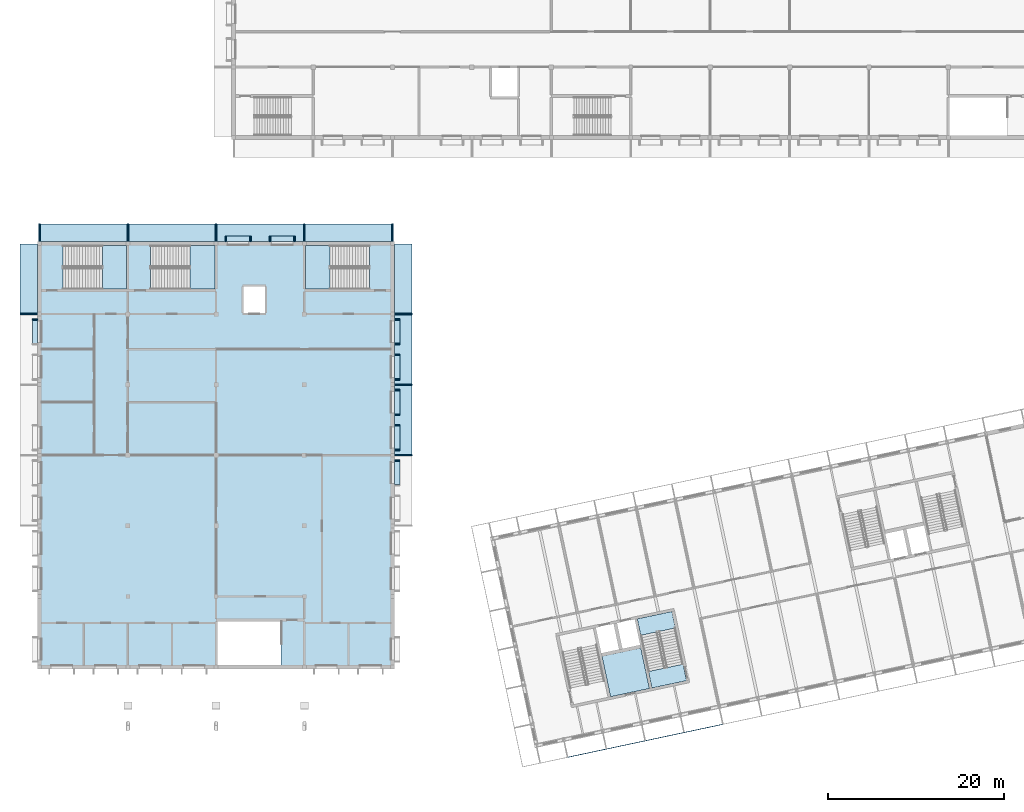
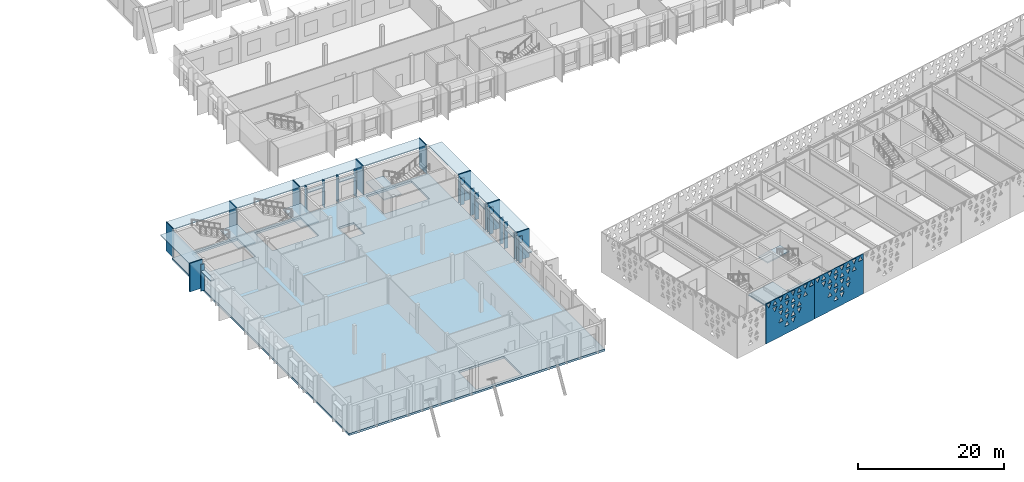
# One storey, part 96 of 182: 41 plates, 7 slabs, 4 elements without a shape of their own.
"""IFC4 building model written with IfcOpenShell, lengths in metres."""

from ifc_helpers import new_model, si_unit, direction, frame, origin, origin_2d, place, context, subcontext, project, spatial, polyline, rectangle, outline, extrude, material, layer, layer_set, type_object, element, aggregate, save


model = new_model("IFC4")

# Units and contexts
model_context = context("Model", 3, precision=1e-05, world=origin(), true_north=direction((0.0, 1.0)))
body_context = subcontext(model_context, "Body", "Model", "MODEL_VIEW")
ifc_project = project(units=[si_unit("LENGTHUNIT", "METRE"), si_unit("AREAUNIT", "SQUARE_METRE"), si_unit("VOLUMEUNIT", "CUBIC_METRE"), si_unit("PLANEANGLEUNIT", "RADIAN"), si_unit("MASSUNIT", "GRAM", prefix="KILO")], contexts=[model_context])

# Site, building, storey
site_placement = place(None, origin())
site = spatial("IfcSite", under=ifc_project, at=site_placement, CompositionType="ELEMENT")
building_placement = place(site_placement, origin())
building = spatial("IfcBuilding", under=site, at=building_placement, Name="Okhra Congress Centre", CompositionType="ELEMENT")
storey_placement = place(building_placement, frame((0.0, 0.0, 7.199951171875)))
storey = spatial("IfcBuildingStorey", under=building, at=storey_placement, Name="L01", CompositionType="ELEMENT", Elevation=7.199951171875)

# Plates
ifc_material_1 = material(Name="Anodised aluminium extrusion", Category="aluminium")
plate_type_1 = type_object("IfcPlateType", Name="Aluminium fin 150x600", PredefinedType="SHEET", material=ifc_material_1)
for number, where, z_axis, x_axis, name in (
    (1, (27.10009765625, 84.52490234375, 0.0), (0.0, 0.0, 1.0), (-1.0, 0.0, 0.0), "RS.PLT.L01.13"),
    (2, (29.89990234375, 84.52490234375, 0.0), (0.0, 0.0, 1.0), (-1.0, 0.0, 0.0), "RS.PLT.L01.14"),
    (3, (32.10009765625, 84.52490234375, 0.0), (0.0, 0.0, 1.0), (-1.0, 0.0, 0.0), "RS.PLT.L01.15"),
    (4, (34.89990234375, 84.52490234375, 0.0), (0.0, 0.0, 1.0), (-1.0, 0.0, 0.0), "RS.PLT.L01.16"),
    (5, (5.47509765625, 75.39990234375, 0.0), (0.0, 0.0, 1.0), (0.0, -1.0, 0.0), "RS.PLT.L01.32"),
    (6, (46.52490234375, 59.39990234375, 0.0), (0.0, 0.0, 1.0), (0.0, 1.0, 0.0), "RS.PLT.L01.42"),
    (7, (46.52490234375, 60.60009765625, 0.0), (0.0, 0.0, 1.0), (0.0, 1.0, 0.0), "RS.PLT.L01.43"),
    (8, (46.52490234375, 63.39990234375, 0.0), (0.0, 0.0, 1.0), (0.0, 1.0, 0.0), "RS.PLT.L01.44"),
    (9, (46.52490234375, 64.60009765625, 0.0), (0.0, 0.0, 1.0), (0.0, 1.0, 0.0), "RS.PLT.L01.45"),
    (10, (46.52490234375, 67.39990234375, 0.0), (0.0, 0.0, 1.0), (0.0, 1.0, 0.0), "RS.PLT.L01.46"),
    (11, (46.52490234375, 68.60009765625, 0.0), (0.0, 0.0, 1.0), (0.0, 1.0, 0.0), "RS.PLT.L01.47"),
    (12, (46.52490234375, 71.39990234375, 0.0), (0.0, 0.0, 1.0), (0.0, 1.0, 0.0), "RS.PLT.L01.48"),
    (13, (46.52490234375, 72.60009765625, 0.0), (0.0, 0.0, 1.0), (0.0, 1.0, 0.0), "RS.PLT.L01.49"),
    (14, (46.52490234375, 75.39990234375, 0.0), (0.0, 0.0, 1.0), (0.0, 1.0, 0.0), "RS.PLT.L01.50"),
):
    element("IfcPlate", number, at=place(storey_placement, frame(where, z_axis=z_axis, x_axis=x_axis)), inside=storey, type_object=plate_type_1, Name=name, PredefinedType="SHEET", context=body_context, shape_type="SweptSolid", body=[
        extrude(rectangle(XDim=0.14990234375, YDim=0.60009765625, at=origin_2d()), origin(), (0.0, 0.0, 1.0), 4.429931640625),
    ])
ifc_material_2 = material(Name="Precast concrete C40/50", Category="concrete")
plate_type_2 = type_object("IfcPlateType", Name="Precast concrete blade 150x2000 C40/50", PredefinedType="SHEET", material=ifc_material_2)
for number, where, z_axis, x_axis, name in (
    (15, (6.0, 85.22509765625, 0.0), (0.0, 0.0, 1.0), (-1.0, 0.0, 0.0), "RS.PLT.L01.blade-1"),
    (16, (16.0, 85.22509765625, 0.0), (0.0, 0.0, 1.0), (-1.0, 0.0, 0.0), "RS.PLT.L01.blade-2"),
    (17, (26.0, 85.22509765625, 0.0), (0.0, 0.0, 1.0), (-1.0, 0.0, 0.0), "RS.PLT.L01.blade-3"),
    (18, (36.0, 85.22509765625, 0.0), (0.0, 0.0, 1.0), (-1.0, 0.0, 0.0), "RS.PLT.L01.blade-4"),
    (19, (46.0, 85.22509765625, 0.0), (0.0, 0.0, 1.0), (-1.0, 0.0, 0.0), "RS.PLT.L01.blade-5"),
    (20, (4.77490234375, 76.0, 0.0), (0.0, 0.0, 1.0), (0.0, -1.0, 0.0), "RS.PLT.L01.blade-9"),
    (21, (47.22509765625, 60.0, 0.0), (0.0, 0.0, 1.0), (0.0, 1.0, 0.0), "RS.PLT.L01.blade-11"),
    (22, (47.22509765625, 68.0, 0.0), (0.0, 0.0, 1.0), (0.0, 1.0, 0.0), "RS.PLT.L01.blade-12"),
    (23, (47.22509765625, 76.0, 0.0), (0.0, 0.0, 1.0), (0.0, 1.0, 0.0), "RS.PLT.L01.blade-13"),
):
    element("IfcPlate", number, at=place(storey_placement, frame(where, z_axis=z_axis, x_axis=x_axis)), inside=storey, type_object=plate_type_2, Name=name, PredefinedType="SHEET", context=body_context, shape_type="SweptSolid", body=[
        extrude(rectangle(XDim=0.14990234375, YDim=2.0, at=origin_2d()), origin(), (0.0, 0.0, 1.0), 4.800048828125),
    ])
ifc_layer_1 = layer(ifc_material_2, 0.14990234375)
ifc_layer_set_1 = layer_set([ifc_layer_1], Name="Precast concrete shelf 150x2000 C40/50")
plate_type_3 = type_object("IfcPlateType", Name="Precast concrete shelf 150x2000 C40/50", PredefinedType="SHEET", material=ifc_layer_set_1)
for number, where, z_axis, x_axis, name in (
    (24, (11.0, 85.22509765625, 4.60009765625), (0.0, 0.0, 1.0), (-1.0, 0.0, 0.0), "RS.PLT.L01.shelf-1"),
    (25, (21.0, 85.22509765625, 4.60009765625), (0.0, 0.0, 1.0), (-1.0, 0.0, 0.0), "RS.PLT.L01.shelf-2"),
    (26, (31.0, 85.22509765625, 4.60009765625), (0.0, 0.0, 1.0), (-1.0, 0.0, 0.0), "RS.PLT.L01.shelf-3"),
    (27, (41.0, 85.22509765625, 4.60009765625), (0.0, 0.0, 1.0), (-1.0, 0.0, 0.0), "RS.PLT.L01.shelf-4"),
):
    element("IfcPlate", number, at=place(storey_placement, frame(where, z_axis=z_axis, x_axis=x_axis)), inside=storey, type_object=plate_type_3, Name=name, PredefinedType="SHEET", context=body_context, shape_type="SweptSolid", body=[
        extrude(rectangle(XDim=9.840087890625, YDim=2.0, at=origin_2d()), origin(), (0.0, 0.0, 1.0), 0.14990234375),
    ])
for number, where, z_axis, x_axis, name in (
    (28, (4.77490234375, 80.0, 4.60009765625), (0.0, 0.0, 1.0), (0.0, -1.0, 0.0), "RS.PLT.L01.shelf-8"),
    (29, (47.22509765625, 64.0, 4.60009765625), (0.0, 0.0, 1.0), (0.0, 1.0, 0.0), "RS.PLT.L01.shelf-10"),
    (30, (47.22509765625, 72.0, 4.60009765625), (0.0, 0.0, 1.0), (0.0, 1.0, 0.0), "RS.PLT.L01.shelf-11"),
    (31, (47.22509765625, 80.0, 4.60009765625), (0.0, 0.0, 1.0), (0.0, 1.0, 0.0), "RS.PLT.L01.shelf-12"),
):
    element("IfcPlate", number, at=place(storey_placement, frame(where, z_axis=z_axis, x_axis=x_axis)), inside=storey, type_object=plate_type_3, Name=name, PredefinedType="SHEET", context=body_context, shape_type="SweptSolid", body=[
        extrude(rectangle(XDim=7.840087890625, YDim=2.0, at=origin_2d()), origin(), (0.0, 0.0, 1.0), 0.14990234375),
    ])

# Slabs
ifc_material_3 = material(Name="Concrete C30/37", Category="concrete")
ifc_layer_2 = layer(ifc_material_3, 0.199951171875)
ifc_layer_set_2 = layer_set([ifc_layer_2], Name="RC floor slab 200 REI 120 C30/37")
slab_type_1 = type_object("IfcSlabType", Name="RC floor slab 200 REI 120 C30/37", PredefinedType="FLOOR", material=ifc_layer_set_2)
slab_1_placement = place(storey_placement, frame((0.0, 0.0, -0.199951171875)))
element("IfcSlab", 32, at=slab_1_placement, inside=storey, type_object=slab_type_1, Name="Stair floor landing 1B L01", PredefinedType="FLOOR", context=body_context, shape_type="SweptSolid", body=[
    extrude(outline(polyline([(79.32666015625, 34.454345703125), (75.404296875, 33.62060546875), (75.00732421875, 35.489013671875), (78.9296875, 36.322509765625), (79.32666015625, 34.454345703125)])), origin(), (0.0, 0.0, 1.0), 0.199951171875),
])
slab_2_placement = place(storey_placement, frame((0.0, 0.0, -0.199951171875)))
element("IfcSlab", 33, at=slab_2_placement, inside=storey, type_object=slab_type_1, Name="Riser room floor 1 L01", PredefinedType="FLOOR", context=body_context, shape_type="SweptSolid", body=[
    extrude(outline(polyline([(70.713134765625, 32.628662109375), (75.11474609375, 33.564208984375), (74.1376953125, 38.161376953125), (69.73583984375, 37.225830078125), (70.713134765625, 32.628662109375)])), origin(), (0.0, 0.0, 1.0), 0.199951171875),
])
ifc_material_4 = material(Name="Concrete C35/45", Category="concrete")
ifc_layer_3 = layer(ifc_material_4, 0.35009765625)
ifc_layer_set_3 = layer_set([ifc_layer_3], Name="RC floor slab 350 REI 120 C35/45")
slab_type_2 = type_object("IfcSlabType", Name="RC floor slab 350 REI 120 C35/45", PredefinedType="FLOOR", material=ifc_layer_set_3)
slab_3_placement = place(storey_placement, frame((0.0, 0.0, -0.349853515625)))
element("IfcSlab", 34, at=slab_3_placement, inside=storey, type_object=slab_type_2, Name="Floor slab L01", PredefinedType="FLOOR", context=body_context, shape_type="SweptSolid", body=[
    extrude(outline(polyline([(46.22509765625, 35.77490234375), (46.22509765625, 84.22509765625), (5.77490234375, 84.22509765625), (5.77490234375, 35.77490234375), (46.22509765625, 35.77490234375)]), holes=[polyline([(8.6279296875, 78.824951171875), (15.85009765625, 78.824951171875), (15.85009765625, 83.77490234375), (8.6279296875, 83.77490234375), (8.6279296875, 78.824951171875)]), polyline([(18.552978515625, 78.824951171875), (25.85009765625, 78.824951171875), (25.85009765625, 83.77490234375), (18.552978515625, 83.77490234375), (18.552978515625, 78.824951171875)]), polyline([(43.3720703125, 83.77490234375), (36.14990234375, 83.77490234375), (36.14990234375, 78.824951171875), (43.3720703125, 78.824951171875), (43.3720703125, 83.77490234375)]), polyline([(33.3720703125, 41.175048828125), (26.14990234375, 41.175048828125), (26.14990234375, 36.22509765625), (33.3720703125, 36.22509765625), (33.3720703125, 41.175048828125)]), polyline([(29.125, 76.125), (31.52490234375, 76.125), (31.52490234375, 79.125), (29.125, 79.125), (29.125, 76.125)])]), origin(), (0.0, 0.0, 1.0), 0.349853515625),
])

# Stair, slab
stair_type_1 = type_object("IfcStairType", Name="Escape stair 2400 wide, 30 risers of 160.0", PredefinedType="HALF_TURN_STAIR", material=ifc_material_3)
stair_1_placement = place(storey_placement, origin())
stair_1 = element("IfcStair", 35, at=stair_1_placement, inside=storey, type_object=stair_type_1, Name="L01 Stair R1", PredefinedType="HALF_TURN_STAIR")
ifc_layer_4 = layer(ifc_material_3, 0.199951171875)
ifc_layer_set_4 = layer_set([ifc_layer_4], Name="RC stair landing 200 C30/37")
slab_type_3 = type_object("IfcSlabType", Name="RC stair landing 200 C30/37", PredefinedType="LANDING", material=ifc_layer_set_4)
slab_4_placement = place(storey_placement, frame((0.0, 0.0, 2.199951171875)))
slab_4 = element("IfcSlab", 36, at=slab_4_placement, type_object=slab_type_3, Name="R1 landing 1", PredefinedType="LANDING", context=body_context, shape_type="SweptSolid", body=[
    extrude(outline(polyline([(13.10498046875, 78.824951171875), (15.85009765625, 78.824951171875), (15.85009765625, 83.77490234375), (13.10498046875, 83.77490234375), (13.10498046875, 78.824951171875)])), origin(), (0.0, 0.0, 1.0), 0.2001953125),
])
aggregate(stair_1, [slab_4])

stair_2_placement = place(storey_placement, origin())
stair_2 = element("IfcStair", 37, at=stair_2_placement, inside=storey, type_object=stair_type_1, Name="L01 Stair R3", PredefinedType="HALF_TURN_STAIR")
slab_5_placement = place(storey_placement, frame((0.0, 0.0, 2.199951171875)))
slab_5 = element("IfcSlab", 38, at=slab_5_placement, type_object=slab_type_3, Name="R3 landing 1", PredefinedType="LANDING", context=body_context, shape_type="SweptSolid", body=[
    extrude(outline(polyline([(23.030029296875, 78.824951171875), (25.85009765625, 78.824951171875), (25.85009765625, 83.77490234375), (23.030029296875, 83.77490234375), (23.030029296875, 78.824951171875)])), origin(), (0.0, 0.0, 1.0), 0.2001953125),
])
aggregate(stair_2, [slab_5])

stair_3_placement = place(storey_placement, origin())
stair_3 = element("IfcStair", 39, at=stair_3_placement, inside=storey, type_object=stair_type_1, Name="L01 Stair R2", PredefinedType="HALF_TURN_STAIR")
slab_6_placement = place(storey_placement, frame((0.0, 0.0, 2.199951171875)))
slab_6 = element("IfcSlab", 40, at=slab_6_placement, type_object=slab_type_3, Name="R2 landing 1", PredefinedType="LANDING", context=body_context, shape_type="SweptSolid", body=[
    extrude(outline(polyline([(38.89501953125, 83.77490234375), (36.14990234375, 83.77490234375), (36.14990234375, 78.824951171875), (38.89501953125, 78.824951171875), (38.89501953125, 83.77490234375)])), origin(), (0.0, 0.0, 1.0), 0.2001953125),
])
aggregate(stair_3, [slab_6])

stair_type_2 = type_object("IfcStairType", Name="Escape stair 1900 wide, 30 risers of 160.0", PredefinedType="HALF_TURN_STAIR", material=ifc_material_3)
stair_4_placement = place(storey_placement, origin())
stair_4 = element("IfcStair", 41, at=stair_4_placement, inside=storey, type_object=stair_type_2, Name="L01 Escape stair 1B", PredefinedType="HALF_TURN_STAIR")
slab_7_placement = place(storey_placement, frame((0.0, 0.0, 2.199951171875)))
slab_7 = element("IfcSlab", 42, at=slab_7_placement, type_object=slab_type_3, Name="BS1B landing 1", PredefinedType="LANDING", context=body_context, shape_type="SweptSolid", body=[
    extrude(outline(polyline([(78.058349609375, 40.421142578125), (74.135986328125, 39.58740234375), (73.739013671875, 41.45556640625), (77.661376953125, 42.289306640625), (78.058349609375, 40.421142578125)])), origin(), (0.0, 0.0, 1.0), 0.2001953125),
])
aggregate(stair_4, [slab_7])

# Plates
ifc_material_5 = material(Name="Fired clay terracotta rainscreen panel, deep oxide-red glaze, non-combustible", Category="masonry")
ifc_layer_5 = layer(ifc_material_5, 0.080078125)
ifc_layer_set_5 = layer_set([ifc_layer_5], Name="Terracotta screen panel 8980x6720")
plate_type_4 = type_object("IfcPlateType", Name="Terracotta screen panel 8980x6720", PredefinedType="SHEET", material=ifc_layer_set_5)
plate_1_placement = place(storey_placement, frame((65.843505859375, 25.76611328125, 0.010009765625), z_axis=(0.0, 0.0, 1.0), x_axis=(0.978144061878, 0.207928339131, 0.0)))
element("IfcPlate", 43, at=plate_1_placement, inside=storey, type_object=plate_type_4, Name="Screen panel S2 Tier 1", PredefinedType="SHEET", context=body_context, shape_type="SweptSolid", body=[
    extrude(outline(polyline([(0.0, 0.0), (8.97998046875, 0.0), (8.97998046875, 6.719970703125), (0.0, 6.719970703125), (0.0, 0.0)]), holes=[polyline([(3.536376953125, 1.303955078125), (4.3037109375, 1.303955078125), (3.919921875, 2.05615234375), (3.536376953125, 1.303955078125)]), polyline([(4.656494140625, 2.05615234375), (5.0400390625, 1.303955078125), (5.423583984375, 2.05615234375), (4.656494140625, 2.05615234375)]), polyline([(2.41650390625, 2.423828125), (3.18359375, 2.423828125), (2.800048828125, 3.176025390625), (2.41650390625, 2.423828125)]), polyline([(3.536376953125, 3.176025390625), (3.919921875, 2.423828125), (4.3037109375, 3.176025390625), (3.536376953125, 3.176025390625)]), polyline([(4.656494140625, 2.423828125), (5.423583984375, 2.423828125), (5.0400390625, 3.176025390625), (4.656494140625, 2.423828125)]), polyline([(5.7763671875, 3.176025390625), (6.159912109375, 2.423828125), (6.543701171875, 3.176025390625), (5.7763671875, 3.176025390625)]), polyline([(2.41650390625, 4.296142578125), (2.800048828125, 3.5439453125), (3.18359375, 4.296142578125), (2.41650390625, 4.296142578125)]), polyline([(3.536376953125, 3.5439453125), (4.3037109375, 3.5439453125), (3.919921875, 4.296142578125), (3.536376953125, 3.5439453125)]), polyline([(4.656494140625, 4.296142578125), (5.0400390625, 3.5439453125), (5.423583984375, 4.296142578125), (4.656494140625, 4.296142578125)]), polyline([(5.7763671875, 3.5439453125), (6.543701171875, 3.5439453125), (6.159912109375, 4.296142578125), (5.7763671875, 3.5439453125)]), polyline([(1.29638671875, 5.416015625), (1.679931640625, 4.663818359375), (2.0634765625, 5.416015625), (1.29638671875, 5.416015625)]), polyline([(2.41650390625, 4.663818359375), (3.18359375, 4.663818359375), (2.800048828125, 5.416015625), (2.41650390625, 4.663818359375)]), polyline([(3.536376953125, 5.416015625), (3.919921875, 4.663818359375), (4.3037109375, 5.416015625), (3.536376953125, 5.416015625)]), polyline([(4.656494140625, 4.663818359375), (5.423583984375, 4.663818359375), (5.0400390625, 5.416015625), (4.656494140625, 4.663818359375)]), polyline([(5.7763671875, 5.416015625), (6.159912109375, 4.663818359375), (6.543701171875, 5.416015625), (5.7763671875, 5.416015625)]), polyline([(6.896484375, 4.663818359375), (7.66357421875, 4.663818359375), (7.280029296875, 5.416015625), (6.896484375, 4.663818359375)]), polyline([(0.176513671875, 6.5361328125), (0.56005859375, 5.783935546875), (0.943603515625, 6.5361328125), (0.176513671875, 6.5361328125)]), polyline([(1.29638671875, 5.783935546875), (2.0634765625, 5.783935546875), (1.679931640625, 6.5361328125), (1.29638671875, 5.783935546875)]), polyline([(2.41650390625, 6.5361328125), (2.800048828125, 5.783935546875), (3.18359375, 6.5361328125), (2.41650390625, 6.5361328125)]), polyline([(3.536376953125, 5.783935546875), (4.3037109375, 5.783935546875), (3.919921875, 6.5361328125), (3.536376953125, 5.783935546875)]), polyline([(4.656494140625, 6.5361328125), (5.0400390625, 5.783935546875), (5.423583984375, 6.5361328125), (4.656494140625, 6.5361328125)]), polyline([(5.7763671875, 5.783935546875), (6.543701171875, 5.783935546875), (6.159912109375, 6.5361328125), (5.7763671875, 5.783935546875)]), polyline([(6.896484375, 6.5361328125), (7.280029296875, 5.783935546875), (7.66357421875, 6.5361328125), (6.896484375, 6.5361328125)]), polyline([(8.016357421875, 5.783935546875), (8.78369140625, 5.783935546875), (8.39990234375, 6.5361328125), (8.016357421875, 5.783935546875)])]), frame((0.0, 0.0400390625, 0.0), z_axis=(0.0, -1.0, 0.0), x_axis=(1.0, 0.0, 0.0)), (0.0, 0.0, 1.0), 0.080078125),
])
plate_2_placement = place(storey_placement, frame((74.646728515625, 27.637451171875, 0.010009765625), z_axis=(0.0, 0.0, 1.0), x_axis=(0.978150766104, 0.207896798366, 0.0)))
element("IfcPlate", 44, at=plate_2_placement, inside=storey, type_object=plate_type_4, Name="Screen panel S3 Tier 1", PredefinedType="SHEET", context=body_context, shape_type="SweptSolid", body=[
    extrude(outline(polyline([(0.0, 0.0), (8.980224609375, 0.0), (8.980224609375, 6.719970703125), (0.0, 6.719970703125), (0.0, 0.0)]), holes=[polyline([(3.536376953125, 1.303955078125), (4.3037109375, 1.303955078125), (3.919921875, 2.05615234375), (3.536376953125, 1.303955078125)]), polyline([(4.656494140625, 2.05615234375), (5.0400390625, 1.303955078125), (5.423583984375, 2.05615234375), (4.656494140625, 2.05615234375)]), polyline([(2.41650390625, 2.423828125), (3.18359375, 2.423828125), (2.800048828125, 3.176025390625), (2.41650390625, 2.423828125)]), polyline([(3.536376953125, 3.176025390625), (3.919921875, 2.423828125), (4.3037109375, 3.176025390625), (3.536376953125, 3.176025390625)]), polyline([(4.656494140625, 2.423828125), (5.423583984375, 2.423828125), (5.0400390625, 3.176025390625), (4.656494140625, 2.423828125)]), polyline([(5.7763671875, 3.176025390625), (6.159912109375, 2.423828125), (6.543701171875, 3.176025390625), (5.7763671875, 3.176025390625)]), polyline([(2.41650390625, 4.296142578125), (2.800048828125, 3.5439453125), (3.18359375, 4.296142578125), (2.41650390625, 4.296142578125)]), polyline([(3.536376953125, 3.5439453125), (4.3037109375, 3.5439453125), (3.919921875, 4.296142578125), (3.536376953125, 3.5439453125)]), polyline([(4.656494140625, 4.296142578125), (5.0400390625, 3.5439453125), (5.423583984375, 4.296142578125), (4.656494140625, 4.296142578125)]), polyline([(5.7763671875, 3.5439453125), (6.543701171875, 3.5439453125), (6.159912109375, 4.296142578125), (5.7763671875, 3.5439453125)]), polyline([(1.29638671875, 5.416015625), (1.679931640625, 4.663818359375), (2.0634765625, 5.416015625), (1.29638671875, 5.416015625)]), polyline([(2.41650390625, 4.663818359375), (3.18359375, 4.663818359375), (2.800048828125, 5.416015625), (2.41650390625, 4.663818359375)]), polyline([(3.536376953125, 5.416015625), (3.919921875, 4.663818359375), (4.3037109375, 5.416015625), (3.536376953125, 5.416015625)]), polyline([(4.656494140625, 4.663818359375), (5.423583984375, 4.663818359375), (5.0400390625, 5.416015625), (4.656494140625, 4.663818359375)]), polyline([(5.7763671875, 5.416015625), (6.159912109375, 4.663818359375), (6.543701171875, 5.416015625), (5.7763671875, 5.416015625)]), polyline([(6.896484375, 4.663818359375), (7.66357421875, 4.663818359375), (7.280029296875, 5.416015625), (6.896484375, 4.663818359375)]), polyline([(0.176513671875, 6.5361328125), (0.56005859375, 5.783935546875), (0.943603515625, 6.5361328125), (0.176513671875, 6.5361328125)]), polyline([(1.29638671875, 5.783935546875), (2.0634765625, 5.783935546875), (1.679931640625, 6.5361328125), (1.29638671875, 5.783935546875)]), polyline([(2.41650390625, 6.5361328125), (2.800048828125, 5.783935546875), (3.18359375, 6.5361328125), (2.41650390625, 6.5361328125)]), polyline([(3.536376953125, 5.783935546875), (4.3037109375, 5.783935546875), (3.919921875, 6.5361328125), (3.536376953125, 5.783935546875)]), polyline([(4.656494140625, 6.5361328125), (5.0400390625, 5.783935546875), (5.423583984375, 6.5361328125), (4.656494140625, 6.5361328125)]), polyline([(5.7763671875, 5.783935546875), (6.543701171875, 5.783935546875), (6.159912109375, 6.5361328125), (5.7763671875, 5.783935546875)]), polyline([(6.896484375, 6.5361328125), (7.280029296875, 5.783935546875), (7.66357421875, 6.5361328125), (6.896484375, 6.5361328125)]), polyline([(8.016357421875, 5.783935546875), (8.78369140625, 5.783935546875), (8.39990234375, 6.5361328125), (8.016357421875, 5.783935546875)])]), frame((0.0, 0.0400390625, 0.0), z_axis=(0.0, -1.0, 0.0), x_axis=(1.0, 0.0, 0.0)), (0.0, 0.0, 1.0), 0.080078125),
])
ifc_material_6 = material(Name="Weathering steel S355J0WP", Category="steel")
ifc_layer_6 = layer(ifc_material_6, 0.1201171875)
ifc_layer_set_6 = layer_set([ifc_layer_6], Name="Weathering steel window hood 600x120")
plate_type_5 = type_object("IfcPlateType", Name="Weathering steel window hood 600x120", PredefinedType="SHEET", material=ifc_layer_set_6)
for number, where, z_axis, x_axis, name in (
    (45, (28.5, 84.52490234375, 3.2900390625), (0.0, 0.0, 1.0), (-1.0, 0.0, 0.0), "RS.PLT.L01.hood-1"),
    (46, (33.5, 84.52490234375, 3.2900390625), (0.0, 0.0, 1.0), (-1.0, 0.0, 0.0), "RS.PLT.L01.hood-2"),
    (47, (5.47509765625, 74.0, 3.2900390625), (0.0, 0.0, 1.0), (0.0, -1.0, 0.0), "RS.PLT.L01.hood-10"),
    (48, (46.52490234375, 58.0, 3.2900390625), (0.0, 0.0, 1.0), (0.0, 1.0, 0.0), "RS.PLT.L01.hood-15"),
    (49, (46.52490234375, 62.0, 3.2900390625), (0.0, 0.0, 1.0), (0.0, 1.0, 0.0), "RS.PLT.L01.hood-16"),
    (50, (46.52490234375, 66.0, 3.2900390625), (0.0, 0.0, 1.0), (0.0, 1.0, 0.0), "RS.PLT.L01.hood-17"),
    (51, (46.52490234375, 70.0, 3.2900390625), (0.0, 0.0, 1.0), (0.0, 1.0, 0.0), "RS.PLT.L01.hood-18"),
    (52, (46.52490234375, 74.0, 3.2900390625), (0.0, 0.0, 1.0), (0.0, 1.0, 0.0), "RS.PLT.L01.hood-19"),
):
    element("IfcPlate", number, at=place(storey_placement, frame(where, z_axis=z_axis, x_axis=x_axis)), inside=storey, type_object=plate_type_5, Name=name, PredefinedType="SHEET", context=body_context, shape_type="SweptSolid", body=[
        extrude(rectangle(XDim=2.639892578125, YDim=0.60009765625, at=origin_2d()), origin(), (0.0, 0.0, 1.0), 0.1201171875),
    ])

save(model, "model.ifc")
